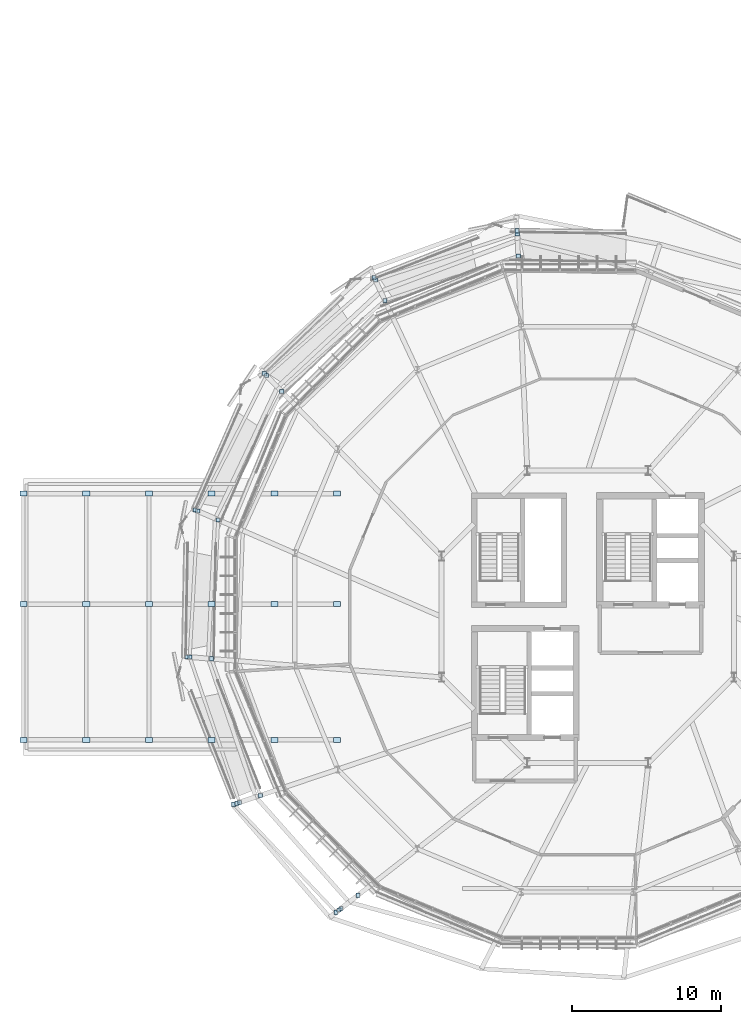
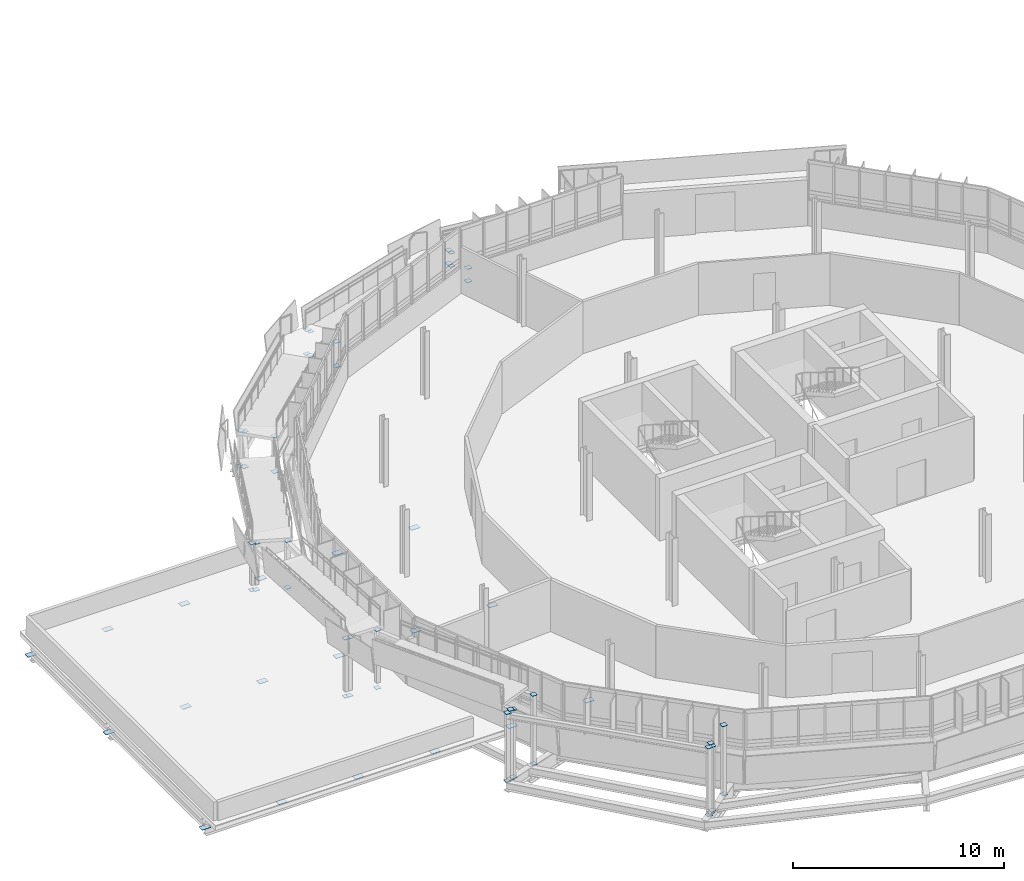
# One storey, part 46 of 61: 64 plates.
"""IFC4 building model written with IfcOpenShell, lengths in metres."""

import ifcopenshell
import ifcopenshell.guid

model = None  # the IFC model being written
_history = None  # IfcOwnerHistory: only IFC2X3 demands one
_inside = {}  # id of a spatial element -> (the spatial element, [elements in it])
_under = {}  # id of a project, library or spatial element -> (it, [spatial elements below it])
_declared = {}  # id of a project -> (the project, [libraries it declares])
_typed = {}  # id of a type object -> (the type object, [elements of that type])
_made_of = {}  # id of a material, layer set ... -> (it, [elements and type objects made of it])


def new_model(schema):
    """Start an empty IFC model of exactly this schema.

    Asked for "IFC4X3", IfcOpenShell would pick the latest addendum, in which some entities
    have other attributes; the version numbers below select the first issue.
    IFC2X3 requires an IfcOwnerHistory on every rooted entity: one is made here for all.
    """
    global model, _history
    if schema == "IFC4X3":
        model = ifcopenshell.file(schema_version=(4, 3, 0, 0))
    else:
        model = ifcopenshell.file(schema=schema)
    _inside.clear()
    _under.clear()
    _declared.clear()
    _typed.clear()
    _made_of.clear()
    _history = None
    if model.schema == "IFC2X3":
        org = make("IfcOrganization", Name="unknown")
        user = make(
            "IfcPersonAndOrganization",
            ThePerson=make("IfcPerson", FamilyName="unknown"),
            TheOrganization=org,
        )
        app = make(
            "IfcApplication",
            ApplicationDeveloper=org,
            Version="unknown",
            ApplicationFullName="unknown",
            ApplicationIdentifier="unknown",
        )
        _history = make(
            "IfcOwnerHistory",
            OwningUser=user,
            OwningApplication=app,
            ChangeAction="ADDED",
            CreationDate=0,
        )
    return model


def make(cls, **values):
    """One entity of the class cls with the attributes given. An attribute that is None is left unset."""
    return model.create_entity(
        cls, **{name: value for name, value in values.items() if value is not None}
    )


def rooted(cls, **values):
    """An entity with a GlobalId (a new one), such as an element, a storey or a relation."""
    return make(cls, GlobalId=ifcopenshell.guid.new(), OwnerHistory=_history, **values)


def si_unit(unit_type, name, prefix=None):
    """IfcSIUnit, for example si_unit("LENGTHUNIT", "METRE", prefix="MILLI")."""
    return make("IfcSIUnit", UnitType=unit_type, Prefix=prefix, Name=name)


def derived_unit(unit_type, elements):
    """IfcDerivedUnit: a product of units, each with its exponent."""
    return make(
        "IfcDerivedUnit",
        Elements=[
            make("IfcDerivedUnitElement", Unit=unit, Exponent=power)
            for unit, power in elements
        ],
        UnitType=unit_type,
    )


def assignment(units):
    """IfcUnitAssignment: the units of a project."""
    return None if units is None else make("IfcUnitAssignment", Units=units)


def point(xyz):
    """IfcCartesianPoint."""
    return None if xyz is None else make("IfcCartesianPoint", Coordinates=xyz)


def direction(xyz):
    """IfcDirection."""
    return None if xyz is None else make("IfcDirection", DirectionRatios=xyz)


def frame(location, z_axis=None, x_axis=None):
    """IfcAxis2Placement3D, a coordinate frame: its origin and axes. An axis left out is left unset."""
    return make(
        "IfcAxis2Placement3D",
        Location=point(location),
        Axis=direction(z_axis),
        RefDirection=direction(x_axis),
    )


def frame_2d(location, x_axis=None):
    """IfcAxis2Placement2D, a coordinate frame in the plane: its origin and x axis."""
    return make(
        "IfcAxis2Placement2D", Location=point(location), RefDirection=direction(x_axis)
    )


def origin():
    """The frame at (0, 0, 0) with its axes left unset."""
    return frame((0.0, 0.0, 0.0))


def origin_2d():
    """The frame at (0, 0) in the plane with its x axis left unset."""
    return frame_2d((0.0, 0.0))


def place(relative_to, where):
    """IfcLocalPlacement: puts the frame where relative to a parent placement (None: the world)."""
    return make(
        "IfcLocalPlacement", PlacementRelTo=relative_to, RelativePlacement=where
    )


def context(
    kind, dimensions, precision=None, world=None, true_north=None, identifier=None
):
    """IfcGeometricRepresentationContext, for example the 3D "Model" context."""
    return make(
        "IfcGeometricRepresentationContext",
        ContextIdentifier=identifier,
        ContextType=kind,
        CoordinateSpaceDimension=dimensions,
        Precision=precision,
        WorldCoordinateSystem=world,
        TrueNorth=true_north,
    )


def subcontext(parent, identifier, kind, view, scale=None):
    """IfcGeometricRepresentationSubContext, for example "Body" below "Model"."""
    return make(
        "IfcGeometricRepresentationSubContext",
        ContextIdentifier=identifier,
        ContextType=kind,
        ParentContext=parent,
        TargetScale=scale,
        TargetView=view,
    )


def project(units=None, contexts=None):
    """IfcProject with its units and contexts."""
    return rooted(
        "IfcProject",
        Name="project",
        RepresentationContexts=contexts,
        UnitsInContext=assignment(units),
    )


def spatial(cls, under=None, at=None, **own):
    """A site, building, storey or space (cls), placed at a placement, below another one or the project."""
    s = rooted(cls, ObjectPlacement=at, **own)
    if under is not None:
        _under.setdefault(under.id(), (under, []))[1].append(s)
    return s


def profile(cls, at=None, kind="AREA", **sizes):
    """A parametric profile (cls). Its sizes go by their IFC names, for example OverallWidth=200.0."""
    return make(cls, ProfileType=kind, Position=at, **sizes)


def rectangle(**sizes):
    """IfcRectangleProfileDef."""
    return profile("IfcRectangleProfileDef", **sizes)


def extrude(swept, where, along, depth):
    """IfcExtrudedAreaSolid: the profile swept, set in the frame where, extruded along a direction by depth."""
    return make(
        "IfcExtrudedAreaSolid",
        SweptArea=swept,
        Position=where,
        ExtrudedDirection=direction(along),
        Depth=depth,
    )


def shape(context_of_items, identifier, shape_type, items):
    """IfcShapeRepresentation: the items that make up one representation, for example the "Body"."""
    return make(
        "IfcShapeRepresentation",
        ContextOfItems=context_of_items,
        RepresentationIdentifier=identifier,
        RepresentationType=shape_type,
        Items=items,
    )


def material(Name=None, Category=None):
    """IfcMaterial."""
    return make("IfcMaterial", Name=Name, Category=Category)


def layer(
    of_material, thickness, ventilated=None, Name=None, Category=None, Priority=None
):
    """IfcMaterialLayer: one layer of a wall or slab, of a material (None: an air gap)."""
    return make(
        "IfcMaterialLayer",
        Material=of_material,
        LayerThickness=thickness,
        IsVentilated=ventilated,
        Name=Name,
        Category=Category,
        Priority=Priority,
    )


def layer_set(layers, Name=None):
    """IfcMaterialLayerSet."""
    return make("IfcMaterialLayerSet", MaterialLayers=layers, LayerSetName=Name)


def made_of(thing, what):
    """Note that an element or type object is made of a material, layer set ...; save() writes the relation."""
    if what is not None:
        _made_of.setdefault(what.id(), (what, []))[1].append(thing)
    return thing


def type_object(cls, material=None, **own):
    """A type object (cls), such as IfcWallType, which elements share."""
    return made_of(rooted(cls, **own), material)


def element(
    cls,
    number,
    at=None,
    inside=None,
    cuts=None,
    type_object=None,
    material=None,
    context=None,
    identifier="Body",
    shape_type=None,
    held_by="IfcProductDefinitionShape",
    body=None,
    shapes=None,
    **own,
):
    """One element of the class cls, such as IfcWall. Its Tag is "e" and its number.

    at: its placement. inside: the storey or other place that contains it. cuts: it is an
    opening in that element (IfcRelVoidsElement). A single representation is given by context,
    identifier, shape_type and body (its items); several are given by shapes. held_by: the class
    of the entity that holds the representations. save() writes the other relations.
    """
    e = rooted(cls, Tag="e%d" % number, ObjectPlacement=at, **own)
    if body is not None:
        shapes = [shape(context, identifier, shape_type, body)]
    if shapes is not None:
        e.Representation = make(held_by, Representations=shapes)
    if inside is not None:
        _inside.setdefault(inside.id(), (inside, []))[1].append(e)
    if cuts is not None:
        rooted(
            "IfcRelVoidsElement", RelatingBuildingElement=cuts, RelatedOpeningElement=e
        )
    if type_object is not None:
        _typed.setdefault(type_object.id(), (type_object, []))[1].append(e)
    return made_of(e, material)


def aggregate(whole, parts):
    """IfcRelAggregates: a whole, such as a stair, and the parts it consists of."""
    return rooted("IfcRelAggregates", RelatingObject=whole, RelatedObjects=parts)


def save(model, path):
    """Write the relations noted so far, then the file.

    IfcRelAggregates (storeys below a building ...), IfcRelContainedInSpatialStructure (elements
    in a storey), IfcRelDefinesByType, IfcRelAssociatesMaterial and IfcRelDeclares: one each for
    every whole, place, type object, material and project.
    """
    for whole, parts in _under.values():
        aggregate(whole, parts)
    for where, things in _inside.values():
        rooted(
            "IfcRelContainedInSpatialStructure",
            RelatedElements=things,
            RelatingStructure=where,
        )
    for kind, things in _typed.values():
        rooted("IfcRelDefinesByType", RelatedObjects=things, RelatingType=kind)
    for what, things in _made_of.values():
        rooted("IfcRelAssociatesMaterial", RelatedObjects=things, RelatingMaterial=what)
    for by, libraries in _declared.values():
        rooted("IfcRelDeclares", RelatingContext=by, RelatedDefinitions=libraries)
    model.write(path)


model = new_model("IFC4")

# Units and contexts
model_context = context("Model", 3, precision=1e-05, world=origin(), true_north=direction((0.0, 1.0)))
body_context = subcontext(model_context, "Body", "Model", "MODEL_VIEW")
ifc_project = project(units=[si_unit("LENGTHUNIT", "METRE"), si_unit("AREAUNIT", "SQUARE_METRE"), si_unit("VOLUMEUNIT", "CUBIC_METRE"), si_unit("PLANEANGLEUNIT", "RADIAN"), si_unit("MASSUNIT", "GRAM", prefix="KILO"), derived_unit("THERMALTRANSMITTANCEUNIT", [(si_unit("MASSUNIT", "GRAM", prefix="KILO"), 1), (si_unit("TIMEUNIT", "SECOND"), -3), (si_unit("THERMODYNAMICTEMPERATUREUNIT", "KELVIN"), -1)])], contexts=[model_context])

# Site, building, storey
site_placement = place(None, origin())
site = spatial("IfcSite", under=ifc_project, at=site_placement, CompositionType="ELEMENT")
building_placement = place(site_placement, origin())
building = spatial("IfcBuilding", under=site, at=building_placement, Name="Makaiwela Harbour Ferry Terminal", CompositionType="ELEMENT")
storey_placement = place(building_placement, frame((0.0, 0.0, 13.800048828125)))
storey = spatial("IfcBuildingStorey", under=building, at=storey_placement, Name="L03", CompositionType="ELEMENT", Elevation=13.800048828125)

# Plates
ifc_material = material(Name="Steel ASTM A572 Grade 50", Category="steel")
ifc_layer_1 = layer(ifc_material, 0.02001953125)
ifc_layer_set_1 = layer_set([ifc_layer_1], Name="Steel ASTM A572 Grade 50")
plate_type_1 = type_object("IfcPlateType", Name="STR-PLT-CAP1", PredefinedType="SHEET", material=ifc_layer_set_1)
for number, where, z_axis, x_axis, name in (
    (1, (10.938232421875, 64.91650390625, -0.2919921875), (0.0, 0.0, 1.0), (1.0, 0.0, 0.0), "Post Sealing Cap Plate PC-0033"),
    (2, (10.938232421875, 64.91650390625, 3.076904296875), (0.0, 0.0, 1.0), (1.0, 0.0, 0.0), "Post Sealing Cap Plate PC-0034"),
    (3, (11.12939453125, 64.901123046875, -0.2919921875), (0.0, 0.0, 1.0), (1.0, 0.0, 0.0), "Post Sealing Cap Plate PC-0035"),
    (4, (11.12939453125, 64.901123046875, 3.06884765625), (0.0, 0.0, 1.0), (1.0, 0.0, 0.0), "Post Sealing Cap Plate PC-0036"),
    (5, (11.49267578125, 74.760986328125, -0.2919921875), (0.0, 0.0, 1.0), (1.0, 0.0, 0.0), "Post Sealing Cap Plate PC-0037"),
    (6, (11.49267578125, 74.760986328125, 2.427001953125), (0.0, 0.0, 1.0), (1.0, 0.0, 0.0), "Post Sealing Cap Plate PC-0038"),
    (7, (11.67138671875, 74.68359375, -0.2919921875), (0.0, 0.0, 1.0), (1.0, 0.0, 0.0), "Post Sealing Cap Plate PC-0039"),
    (8, (11.67138671875, 74.68359375, 2.4189453125), (0.0, 0.0, 1.0), (1.0, 0.0, 0.0), "Post Sealing Cap Plate PC-0040"),
    (9, (12.5869140625, 64.783935546875, -0.2919921875), (0.0, 0.0, 1.0), (1.0, 0.0, 0.0), "Post Sealing Cap Plate PC-0041"),
    (10, (12.5869140625, 64.783935546875, 3.072021484375), (0.0, 0.0, 1.0), (1.0, 0.0, 0.0), "Post Sealing Cap Plate PC-0042"),
    (11, (13.034912109375, 74.09228515625, -0.2919921875), (0.0, 0.0, 1.0), (1.0, 0.0, 0.0), "Post Sealing Cap Plate PC-0043"),
    (12, (13.034912109375, 74.09228515625, 2.421875), (0.0, 0.0, 1.0), (1.0, 0.0, 0.0), "Post Sealing Cap Plate PC-0044"),
    (13, (14.084716796875, 55.0380859375, -0.2919921875), (0.0, 0.0, 1.0), (1.0, 0.0, 0.0), "Post Sealing Cap Plate PC-0045"),
    (14, (14.084716796875, 55.0380859375, 3.64697265625), (0.0, 0.0, 1.0), (1.0, 0.0, 0.0), "Post Sealing Cap Plate PC-0046"),
    (15, (14.29150390625, 55.107666015625, -0.2919921875), (0.0, 0.0, 1.0), (1.0, 0.0, 0.0), "Post Sealing Cap Plate PC-0047"),
    (16, (14.29150390625, 55.107666015625, 3.721923828125), (0.0, 0.0, 1.0), (1.0, 0.0, 0.0), "Post Sealing Cap Plate PC-0048"),
    (17, (14.46484375, 55.165771484375, -0.2919921875), (0.0, 0.0, 1.0), (1.0, 0.0, 0.0), "Post Sealing Cap Plate PC-0049"),
    (18, (14.46484375, 55.165771484375, 3.638916015625), (0.0, 0.0, 1.0), (1.0, 0.0, 0.0), "Post Sealing Cap Plate PC-0050"),
    (19, (15.855712890625, 55.6328125, -0.2919921875), (0.0, 0.0, 1.0), (1.0, 0.0, 0.0), "Post Sealing Cap Plate PC-0059"),
    (20, (15.855712890625, 55.6328125, 3.721923828125), (0.0, 0.0, 1.0), (1.0, 0.0, 0.0), "Post Sealing Cap Plate PC-0060"),
    (21, (16.12890625, 83.896240234375, -0.2919921875), (0.0, 0.0, 1.0), (1.0, 0.0, 0.0), "Post Sealing Cap Plate PC-0063"),
    (22, (16.12890625, 83.896240234375, 1.77685546875), (0.0, 0.0, 1.0), (1.0, 0.0, 0.0), "Post Sealing Cap Plate PC-0064"),
    (23, (16.265380859375, 83.755615234375, -0.2919921875), (0.0, 0.0, 1.0), (1.0, 0.0, 0.0), "Post Sealing Cap Plate PC-0065"),
    (24, (16.265380859375, 83.755615234375, 1.76904296875), (0.0, 0.0, 1.0), (1.0, 0.0, 0.0), "Post Sealing Cap Plate PC-0066"),
    (25, (17.30029296875, 82.689208984375, -0.2919921875), (0.0, 0.0, 1.0), (1.0, 0.0, 0.0), "Post Sealing Cap Plate PC-0083"),
    (26, (17.30029296875, 82.689208984375, 1.77197265625), (0.0, 0.0, 1.0), (1.0, 0.0, 0.0), "Post Sealing Cap Plate PC-0084"),
    (27, (20.939208984375, 47.80419921875, -0.2919921875), (0.0, 0.0, 1.0), (1.0, 0.0, 0.0), "Post Sealing Cap Plate PC-0099"),
    (28, (20.939208984375, 47.80419921875, 3.64697265625), (0.0, 0.0, 1.0), (1.0, 0.0, 0.0), "Post Sealing Cap Plate PC-0100"),
    (29, (21.1259765625, 47.9501953125, -0.2919921875), (0.0, 0.0, 1.0), (1.0, 0.0, 0.0), "Post Sealing Cap Plate PC-0101"),
    (30, (21.1259765625, 47.9501953125, 3.721923828125), (0.0, 0.0, 1.0), (1.0, 0.0, 0.0), "Post Sealing Cap Plate PC-0102"),
    (31, (21.2685546875, 48.0615234375, -0.2919921875), (0.0, 0.0, 1.0), (1.0, 0.0, 0.0), "Post Sealing Cap Plate PC-0103"),
    (32, (21.2685546875, 48.0615234375, 3.451416015625), (0.0, 0.0, 1.0), (1.0, 0.0, 0.0), "Post Sealing Cap Plate PC-0104"),
    (33, (22.40576171875, 48.949951171875, -0.2919921875), (0.0, 0.0, 1.0), (1.0, 0.0, 0.0), "Post Sealing Cap Plate PC-0105"),
    (34, (22.40576171875, 48.949951171875, 3.721923828125), (0.0, 0.0, 1.0), (1.0, 0.0, 0.0), "Post Sealing Cap Plate PC-0106"),
    (35, (23.4853515625, 90.3349609375, -0.2919921875), (0.0, 0.0, 1.0), (1.0, 0.0, 0.0), "Post Sealing Cap Plate PC-0111"),
    (36, (23.4853515625, 90.3349609375, 1.126953125), (0.0, 0.0, 1.0), (1.0, 0.0, 0.0), "Post Sealing Cap Plate PC-0112"),
    (37, (23.569091796875, 90.155517578125, -0.2919921875), (0.0, 0.0, 1.0), (1.0, 0.0, 0.0), "Post Sealing Cap Plate PC-0117"),
    (38, (23.569091796875, 90.155517578125, 1.118896484375), (0.0, 0.0, 1.0), (1.0, 0.0, 0.0), "Post Sealing Cap Plate PC-0118"),
    (39, (24.205322265625, 88.794921875, -0.2919921875), (0.0, 0.0, 1.0), (1.0, 0.0, 0.0), "Post Sealing Cap Plate PC-0125"),
    (40, (24.205322265625, 88.794921875, 1.121826171875), (0.0, 0.0, 1.0), (1.0, 0.0, 0.0), "Post Sealing Cap Plate PC-0126"),
    (41, (33.0703125, 93.265625, -0.2919921875), (0.0, 0.0, 1.0), (1.0, 0.0, 0.0), "Post Sealing Cap Plate PC-0147"),
    (42, (33.0703125, 93.265625, 0.468994140625), (0.0, 0.0, 1.0), (1.0, 0.0, 0.0), "Post Sealing Cap Plate PC-0148"),
    (43, (33.06201171875, 93.46240234375, -0.2919921875), (0.0, 0.0, 1.0), (1.0, 0.0, 0.0), "Post Sealing Cap Plate PC-0151"),
    (44, (33.06201171875, 93.46240234375, 0.47705078125), (0.0, 0.0, 1.0), (1.0, 0.0, 0.0), "Post Sealing Cap Plate PC-0152"),
    (45, (33.1337890625, 91.764892578125, -0.2919921875), (0.0, 0.0, 1.0), (1.0, 0.0, 0.0), "Post Sealing Cap Plate PC-0173"),
    (46, (33.1337890625, 91.764892578125, 0.471923828125), (0.0, 0.0, 1.0), (1.0, 0.0, 0.0), "Post Sealing Cap Plate PC-0174"),
):
    element("IfcPlate", number, at=place(storey_placement, frame(where, z_axis=z_axis, x_axis=x_axis)), inside=storey, type_object=plate_type_1, Name=name, PredefinedType="SHEET", context=body_context, shape_type="SweptSolid", body=[
        extrude(rectangle(XDim=0.280029296875, YDim=0.280029296875, at=origin_2d()), origin(), (0.0, 0.0, 1.0), 0.02001953125),
    ])
ifc_layer_2 = layer(ifc_material, 0.02001953125)
ifc_layer_set_2 = layer_set([ifc_layer_2], Name="Steel ASTM A572 Grade 50")
plate_type_2 = type_object("IfcPlateType", Name="STR-PLT-GUS2", PredefinedType="USERDEFINED", material=ifc_layer_set_2)
for number, where, z_axis, x_axis, name in (
    (47, (21.0, 59.35009765625, -0.675537109375), (0.0, 0.0, 1.0), (1.0, 0.0, 0.0), "Truss Gusset Plate GP-057"),
    (48, (16.800048828125, 59.35009765625, -0.675537109375), (0.0, 0.0, 1.0), (1.0, 0.0, 0.0), "Truss Gusset Plate GP-060"),
    (49, (12.60009765625, 59.35009765625, -0.675537109375), (0.0, 0.0, 1.0), (1.0, 0.0, 0.0), "Truss Gusset Plate GP-063"),
    (50, (8.39990234375, 59.35009765625, -0.675537109375), (0.0, 0.0, 1.0), (1.0, 0.0, 0.0), "Truss Gusset Plate GP-066"),
    (51, (4.199951171875, 59.35009765625, -0.675537109375), (0.0, 0.0, 1.0), (1.0, 0.0, 0.0), "Truss Gusset Plate GP-069"),
    (52, (0.0, 59.35009765625, -0.675537109375), (0.0, 0.0, 1.0), (1.0, 0.0, 0.0), "Truss Gusset Plate GP-072"),
    (53, (21.0, 68.449951171875, -0.675537109375), (0.0, 0.0, 1.0), (1.0, 0.0, 0.0), "Truss Gusset Plate GP-075"),
    (54, (16.800048828125, 68.449951171875, -0.675537109375), (0.0, 0.0, 1.0), (1.0, 0.0, 0.0), "Truss Gusset Plate GP-078"),
    (55, (12.60009765625, 68.449951171875, -0.675537109375), (0.0, 0.0, 1.0), (1.0, 0.0, 0.0), "Truss Gusset Plate GP-081"),
    (56, (8.39990234375, 68.449951171875, -0.675537109375), (0.0, 0.0, 1.0), (1.0, 0.0, 0.0), "Truss Gusset Plate GP-084"),
    (57, (4.199951171875, 68.449951171875, -0.675537109375), (0.0, 0.0, 1.0), (1.0, 0.0, 0.0), "Truss Gusset Plate GP-087"),
    (58, (0.0, 68.449951171875, -0.675537109375), (0.0, 0.0, 1.0), (1.0, 0.0, 0.0), "Truss Gusset Plate GP-090"),
    (59, (21.0, 75.85009765625, -0.675537109375), (0.0, 0.0, 1.0), (1.0, 0.0, 0.0), "Truss Gusset Plate GP-093"),
    (60, (16.800048828125, 75.85009765625, -0.675537109375), (0.0, 0.0, 1.0), (1.0, 0.0, 0.0), "Truss Gusset Plate GP-096"),
    (61, (12.60009765625, 75.85009765625, -0.675537109375), (0.0, 0.0, 1.0), (1.0, 0.0, 0.0), "Truss Gusset Plate GP-099"),
    (62, (8.39990234375, 75.85009765625, -0.675537109375), (0.0, 0.0, 1.0), (1.0, 0.0, 0.0), "Truss Gusset Plate GP-102"),
    (63, (4.199951171875, 75.85009765625, -0.675537109375), (0.0, 0.0, 1.0), (1.0, 0.0, 0.0), "Truss Gusset Plate GP-105"),
    (64, (0.0, 75.85009765625, -0.675537109375), (0.0, 0.0, 1.0), (1.0, 0.0, 0.0), "Truss Gusset Plate GP-108"),
):
    element("IfcPlate", number, at=place(storey_placement, frame(where, z_axis=z_axis, x_axis=x_axis)), inside=storey, type_object=plate_type_2, Name=name, ObjectType="GUSSET PLATE", PredefinedType="USERDEFINED", context=body_context, shape_type="SweptSolid", body=[
        extrude(rectangle(XDim=0.47998046875, YDim=0.320068359375, at=origin_2d()), origin(), (0.0, 0.0, 1.0), 0.02001953125),
    ])

save(model, "model.ifc")
